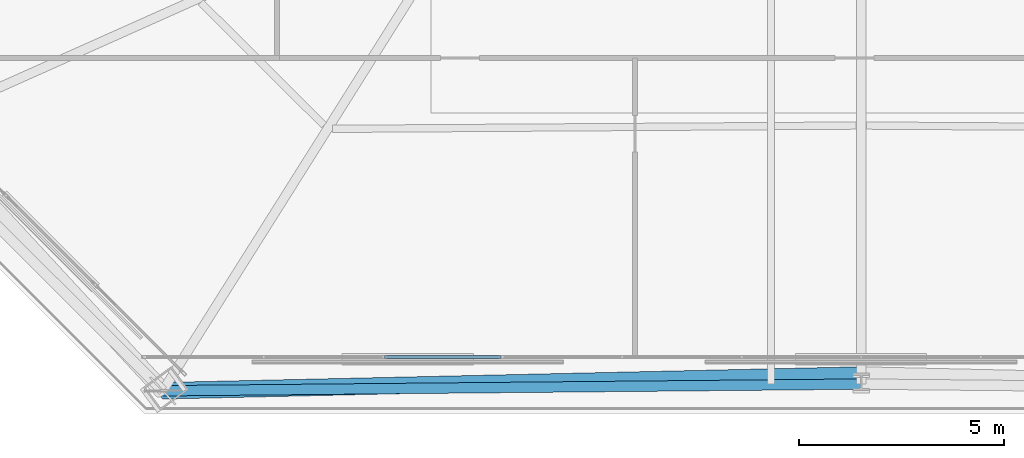
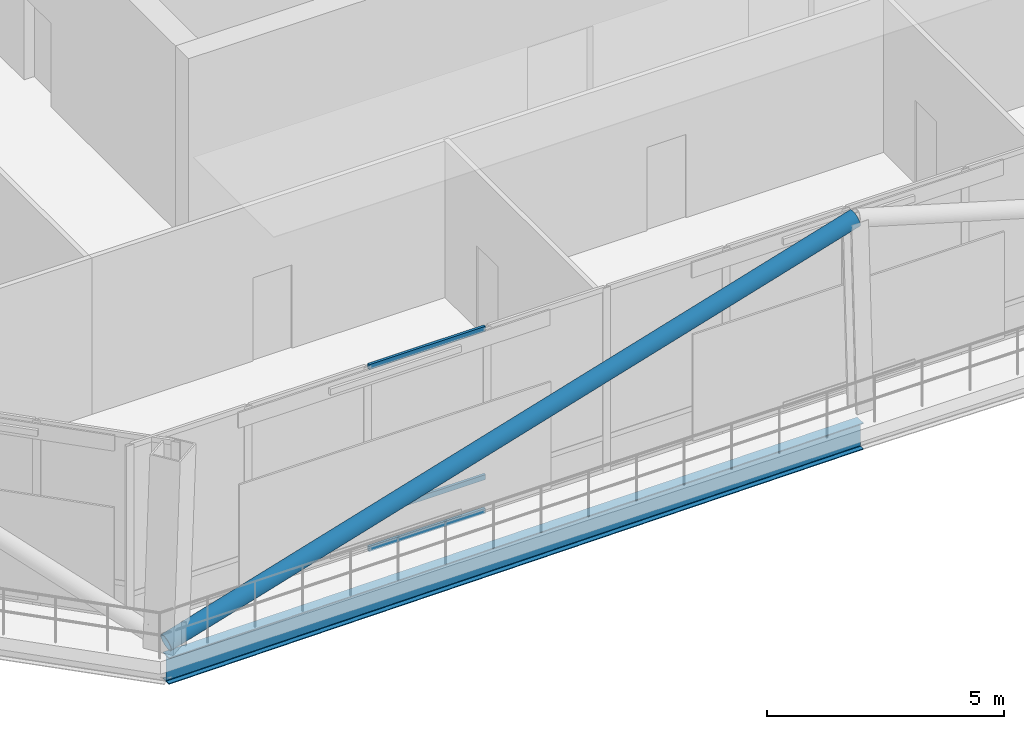
# One storey, part 3 of 34: 4 members, 1 beam, 1 element without a shape of its own.
"""IFC4 building model written with IfcOpenShell, lengths in metres."""

from ifc_helpers import new_model, si_unit, direction, frame, origin, origin_2d, place, context, subcontext, project, spatial, hollow_rectangle, hollow_circle, i_section, extrude, material, layer, layer_set, material_profile, profile_set, type_object, element, aggregate, save


model = new_model("IFC4")

# Units and contexts
model_context = context("Model", 3, precision=1e-05, world=origin(), true_north=direction((0.0, 1.0)))
body_context = subcontext(model_context, "Body", "Model", "MODEL_VIEW")
ifc_project = project(units=[si_unit("LENGTHUNIT", "METRE"), si_unit("AREAUNIT", "SQUARE_METRE"), si_unit("VOLUMEUNIT", "CUBIC_METRE"), si_unit("PLANEANGLEUNIT", "RADIAN"), si_unit("MASSUNIT", "GRAM", prefix="KILO")], contexts=[model_context])

# Site, building, storey
site_placement = place(None, origin())
site = spatial("IfcSite", under=ifc_project, at=site_placement, CompositionType="ELEMENT")
building_placement = place(site_placement, origin())
building = spatial("IfcBuilding", under=site, at=building_placement, Name="Caelvoria Tower", CompositionType="ELEMENT")
storey_placement = place(building_placement, frame((0.0, 0.0, 172.0)))
storey = spatial("IfcBuildingStorey", under=building, at=storey_placement, Name="L45", CompositionType="ELEMENT", Elevation=172.0)

# Curtain wall, members
ifc_material_1 = material(Name="Anodised Bronze Aluminium and Low-E Glass", Category="aluminium")
ifc_layer = layer(ifc_material_1, 0.2099609375, Name="Anodised Bronze Aluminium and Low-E Glass")
ifc_layer_set = layer_set([ifc_layer], Name="CW System 3 Sky Lobby Double-Height Acoustic Facade - Anodised Bronze Aluminium and Low-E Glass")
curtain_wall_type = type_object("IfcCurtainWallType", Name="CW System 3 Sky Lobby Double-Height Acoustic Facade", PredefinedType="NOTDEFINED", material=ifc_layer_set)
curtain_wall_placement = place(storey_placement, origin())
curtain_wall = element("IfcCurtainWall", 1, at=curtain_wall_placement, inside=storey, type_object=curtain_wall_type, Name="CW-03 Curtain Wall L45-E0", PredefinedType="NOTDEFINED")
ifc_material_2 = material(Name="Anodised Bronze Architectural Aluminium", Category="aluminium")
ifc_material_profile_1 = material_profile(ifc_material_2, hollow_rectangle(XDim=0.06494140625, YDim=0.1298828125, WallThickness=0.00341796875, at=origin_2d()), Name="Anodised Bronze Architectural Aluminium")
ifc_profile_set_1 = profile_set([ifc_material_profile_1], Name="CW_TRAN_65X130 - Anodised Bronze Architectural Aluminium")
member_type_1 = type_object("IfcMemberType", Name="Curtain Wall Transom 65x130 Bronze Aluminium", PredefinedType="USERDEFINED", material=ifc_profile_set_1)
member_1_placement = place(storey_placement, frame((34.368408203125, 12.0400390625, 0.032470703125), z_axis=(1.0, 0.0, 0.0), x_axis=(0.0, 1.0, 0.0)))
member_1 = element("IfcMember", 2, at=member_1_placement, type_object=member_type_1, Name="CW-03 transom 3.1", ObjectType="TRANSOM", PredefinedType="USERDEFINED", context=body_context, shape_type="SweptSolid", body=[
    extrude(hollow_rectangle(XDim=0.06494140625, YDim=0.1298828125, WallThickness=0.00341796875, at=origin_2d()), origin(), (0.0, 0.0, 1.0), 2.8466796875),
])
member_2_placement = place(storey_placement, frame((34.368408203125, 12.0400390625, 0.89990234375), z_axis=(1.0, 0.0, 0.0), x_axis=(0.0, 1.0, 0.0)))
member_2 = element("IfcMember", 3, at=member_2_placement, type_object=member_type_1, Name="CW-03 transom 3.2", ObjectType="TRANSOM", PredefinedType="USERDEFINED", context=body_context, shape_type="SweptSolid", body=[
    extrude(hollow_rectangle(XDim=0.06494140625, YDim=0.1298828125, WallThickness=0.00341796875, at=origin_2d()), origin(), (0.0, 0.0, 1.0), 2.8466796875),
])
member_3_placement = place(storey_placement, frame((34.368408203125, 12.0400390625, 4.7275390625), z_axis=(1.0, 0.0, 0.0), x_axis=(0.0, 1.0, 0.0)))
member_3 = element("IfcMember", 4, at=member_3_placement, type_object=member_type_1, Name="CW-03 transom 3.3", ObjectType="TRANSOM", PredefinedType="USERDEFINED", context=body_context, shape_type="SweptSolid", body=[
    extrude(hollow_rectangle(XDim=0.06494140625, YDim=0.1298828125, WallThickness=0.00341796875, at=origin_2d()), origin(), (0.0, 0.0, 1.0), 2.8466796875),
])
aggregate(curtain_wall, [member_1, member_2, member_3])

# Beam
ifc_material_3 = material(Name="Structural Steel ASTM A992 Gr.50", Category="steel")
ifc_material_profile_2 = material_profile(ifc_material_3, i_section(OverallWidth=0.25390625, OverallDepth=0.68798828125, WebThickness=0.01318359375, FlangeThickness=0.02099609375, FilletRadius=0.01904296875, at=origin_2d()), Name="Structural Steel ASTM A992 Gr.50")
ifc_profile_set_2 = profile_set([ifc_material_profile_2], Name="W690X152 - Structural Steel ASTM A992 Gr.50")
beam_type = type_object("IfcBeamType", Name="Perimeter Spandrel Girder W690X152", PredefinedType="BEAM", material=ifc_profile_set_2)
beam_placement = place(storey_placement, frame((28.95654296875, 11.216796875, -0.6640625), z_axis=(0.999954221893, 0.009568391638, 0.0), x_axis=(-0.009568391638, 0.999954221893, 0.0)))
element("IfcBeam", 5, at=beam_placement, inside=storey, type_object=beam_type, Name="Perimeter Spandrel Girder L45-00", PredefinedType="BEAM", context=body_context, shape_type="SweptSolid", body=[
    extrude(i_section(OverallWidth=0.25390625, OverallDepth=0.68798828125, WebThickness=0.01318359375, FlangeThickness=0.02099609375, FilletRadius=0.01904296875, at=origin_2d()), origin(), (0.0, 0.0, 1.0), 17.044189453125),
])

# Member
ifc_material_4 = material(Name="Structural Steel ASTM A572 Gr.50", Category="steel")
ifc_material_profile_3 = material_profile(ifc_material_4, hollow_circle(Radius=0.202880859375, WallThickness=0.01611328125, at=origin_2d()), Name="Structural Steel ASTM A572 Gr.50")
ifc_profile_set_3 = profile_set([ifc_material_profile_3], Name="CHS406X16 - Structural Steel ASTM A572 Gr.50")
member_type_2 = type_object("IfcMemberType", Name="Upper Perimeter Mega Brace CHS406X16", PredefinedType="BRACE", material=ifc_profile_set_3)
member_4_placement = place(storey_placement, frame((28.95654296875, 11.216796875, 0.0), z_axis=(0.962916336114, 0.021655617357, 0.268929663447), x_axis=(-0.022483929395, 0.999747204507, 0.0)))
element("IfcMember", 6, at=member_4_placement, inside=storey, type_object=member_type_2, Name="Perimeter Cardinal Mega Brace L45 SA", PredefinedType="BRACE", context=body_context, shape_type="SweptSolid", body=[
    extrude(hollow_circle(Radius=0.202880859375, WallThickness=0.01611328125, at=origin_2d()), origin(), (0.0, 0.0, 1.0), 17.699951171875),
])

save(model, "model.ifc")
